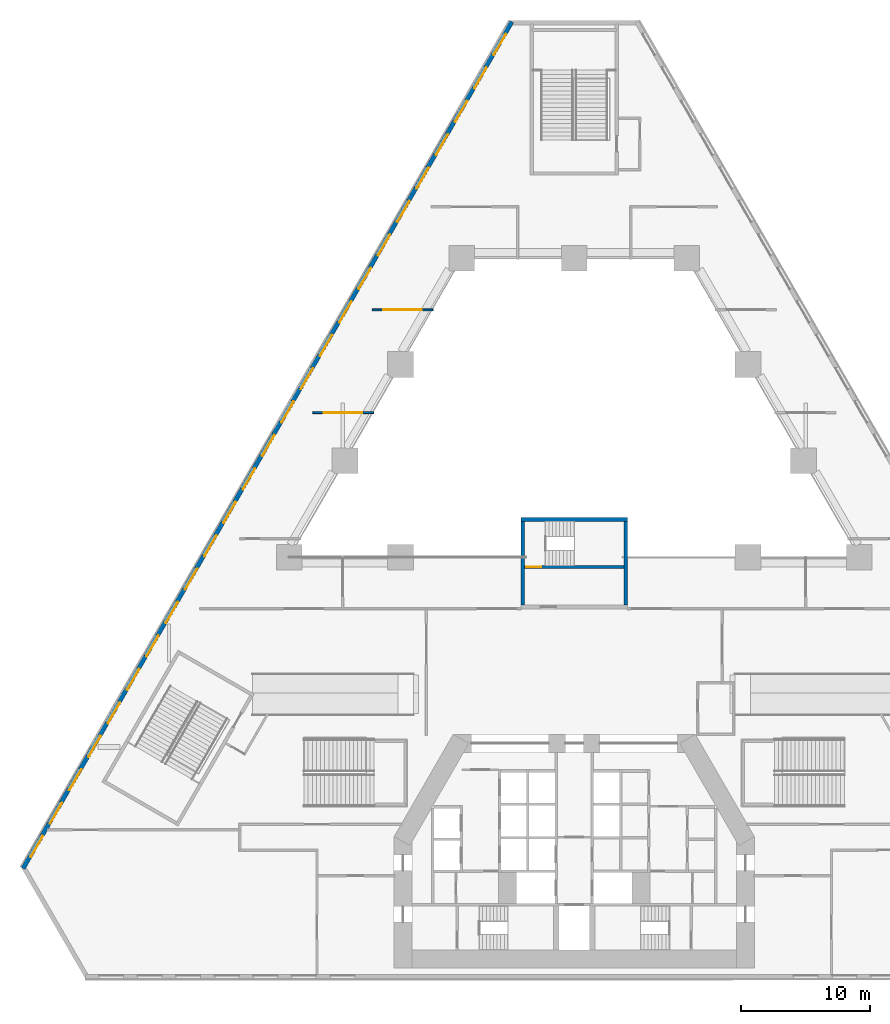
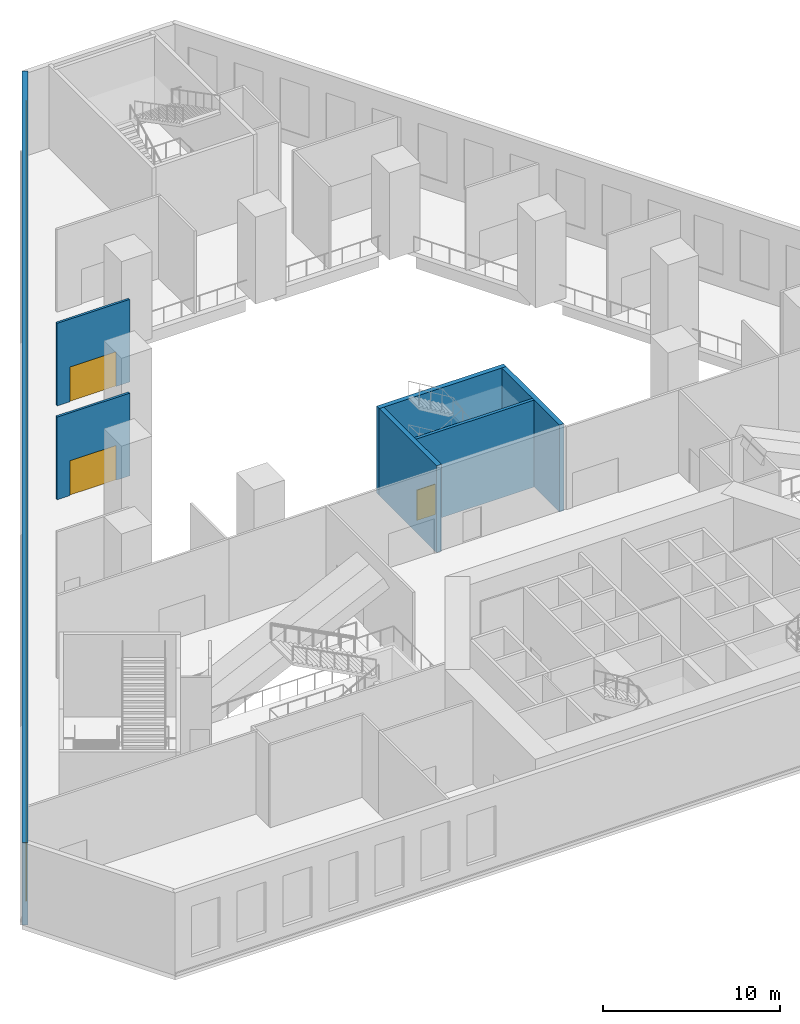
# One storey, part 6 of 16: 25 windows, 7 walls, 3 doors, 28 openings.
"""IFC4 building model written with IfcOpenShell, lengths in metres."""

from ifc_helpers import new_model, si_unit, direction, frame, frame_2d, origin, place, context, subcontext, project, spatial, rectangle, extrude, material, layer, layer_set, type_object, element, fill, save


model = new_model("IFC4")

# Units and contexts
model_context = context("Model", 3, precision=1e-05, world=origin(), true_north=direction((0.0, 1.0)))
body_context = subcontext(model_context, "Body", "Model", "MODEL_VIEW")
ifc_project = project(units=[si_unit("LENGTHUNIT", "METRE"), si_unit("AREAUNIT", "SQUARE_METRE"), si_unit("VOLUMEUNIT", "CUBIC_METRE"), si_unit("PLANEANGLEUNIT", "RADIAN"), si_unit("MASSUNIT", "GRAM", prefix="KILO")], contexts=[model_context])

# Site, building, storey
site_placement = place(None, origin())
site = spatial("IfcSite", under=ifc_project, at=site_placement, CompositionType="ELEMENT")
building_placement = place(site_placement, origin())
building = spatial("IfcBuilding", under=site, at=building_placement, Name="Fogline Exchange Tower", CompositionType="ELEMENT")
storey_placement = place(building_placement, frame((0.0, 0.0, 14.0)))
storey = spatial("IfcBuildingStorey", under=building, at=storey_placement, Name="L02", CompositionType="ELEMENT", Elevation=14.0)

# Wall, opening, door
ifc_material_1 = material(Name="Concrete C40", Category="concrete")
ifc_layer_1 = layer(ifc_material_1, 0.199951171875)
ifc_layer_set_1 = layer_set([ifc_layer_1], Name="CW20R")
wall_type_1 = type_object("IfcWallType", Name="CW20R", PredefinedType="SOLIDWALL", material=ifc_layer_set_1)
wall_1_placement = place(storey_placement, frame((-3.85009765625, 32.007080078125, -0.300048828125), z_axis=(0.0, 0.0, 1.0), x_axis=(1.0, 0.0, 0.0)))
wall_1 = element("IfcWall", 1, at=wall_1_placement, inside=storey, type_object=wall_type_1, Name="Stair enclosure wall ST3", PredefinedType="SOLIDWALL", context=body_context, shape_type="SweptSolid", body=[
    extrude(rectangle(XDim=7.7001953125, YDim=0.199951171875, at=frame_2d((3.85009765625, 0.0))), origin(), (0.0, 0.0, 1.0), 6.0),
])
opening_1_placement = place(wall_1_placement, frame((0.10009765625, 0.0, 0.300048828125)))
opening_1 = element("IfcOpeningElement", 2, at=opening_1_placement, cuts=wall_1, Name="Opening P02-C024", PredefinedType="OPENING", context=body_context, shape_type="SweptSolid", body=[
    extrude(rectangle(XDim=1.199951171875, YDim=2.10009765625, at=frame_2d((0.60009765625, 1.050048828125))), frame((0.0, 0.10986328125, 0.0), z_axis=(0.0, -1.0, 0.0), x_axis=(1.0, 0.0, 0.0)), (0.0, 0.0, 1.0), 0.219970703125),
])
ifc_material_2 = material(Name="Steel and timber fire door", Category="steel")
door_type_1 = type_object("IfcDoorType", Name="D-ST1", OperationType="SINGLE_SWING_LEFT", PredefinedType="DOOR", material=ifc_material_2)
door_1_placement = place(opening_1_placement, origin())
door_1 = element("IfcDoor", 3, at=door_1_placement, inside=storey, type_object=door_type_1, Name="Stair door ST3", OperationType="SINGLE_SWING_LEFT", OverallHeight=2.10009765625, OverallWidth=1.199951171875, PredefinedType="DOOR", context=body_context, shape_type="SweptSolid", body=[
    extrude(rectangle(XDim=1.199951171875, YDim=2.10009765625, at=frame_2d((0.60009765625, 1.050048828125))), frame((0.0, 0.02490234375, 0.0), z_axis=(0.0, -1.0, 0.0), x_axis=(1.0, 0.0, 0.0)), (0.0, 0.0, 1.0), 0.050048828125),
])
fill(opening_1, door_1)

# Walls
ifc_layer_2 = layer(ifc_material_1, 0.300048828125)
ifc_layer_set_2 = layer_set([ifc_layer_2], Name="CW30")
wall_type_2 = type_object("IfcWallType", Name="CW30", PredefinedType="SOLIDWALL", material=ifc_layer_set_2)
wall_2_placement = place(storey_placement, frame((-4.14990234375, 35.70703125, -0.300048828125), z_axis=(0.0, 0.0, 1.0), x_axis=(1.0, 0.0, 0.0)))
element("IfcWall", 4, at=wall_2_placement, inside=storey, type_object=wall_type_2, Name="Stair enclosure wall ST3", PredefinedType="SOLIDWALL", context=body_context, shape_type="SweptSolid", body=[
    extrude(rectangle(XDim=8.2998046875, YDim=0.300048828125, at=frame_2d((4.14990234375, 0.0))), origin(), (0.0, 0.0, 1.0), 6.0),
])
for number, where, z_axis, x_axis, name in (
    (5, (-4.0, 29.056884765625, -0.300048828125), (0.0, 0.0, 1.0), (0.0, 1.0, 0.0), "Stair enclosure wall ST3"),
    (6, (4.0, 29.056884765625, -0.300048828125), (0.0, 0.0, 1.0), (0.0, 1.0, 0.0), "Stair enclosure wall ST3"),
):
    element("IfcWall", number, at=place(storey_placement, frame(where, z_axis=z_axis, x_axis=x_axis)), inside=storey, type_object=wall_type_2, Name=name, PredefinedType="SOLIDWALL", context=body_context, shape_type="SweptSolid", body=[
        extrude(rectangle(XDim=6.5, YDim=0.300048828125, at=frame_2d((3.25, 0.0))), origin(), (0.0, 0.0, 1.0), 6.0),
    ])

# Wall, openings, windows
ifc_material_3 = material(Name="Brick masonry", Category="masonry")
ifc_layer_3 = layer(ifc_material_3, 0.340087890625)
ifc_layer_set_3 = layer_set([ifc_layer_3], Name="FW1")
wall_type_3 = type_object("IfcWallType", Name="FW1", PredefinedType="SOLIDWALL", material=ifc_layer_set_3)
wall_3_placement = place(storey_placement, frame((-4.852783203125, 74.393310546875, 0.0), z_axis=(0.0, 0.0, 1.0), x_axis=(-0.49999894854, -0.866026010844, 0.0)))
wall_3 = element("IfcWall", 7, at=wall_3_placement, inside=storey, type_object=wall_type_3, Name="Brick wall L02 W", PredefinedType="SOLIDWALL", context=body_context, shape_type="SweptSolid", body=[
    extrude(rectangle(XDim=76.000244140625, YDim=0.340087890625, at=frame_2d((38.0, 0.0))), origin(), (0.0, 0.0, 1.0), 5.699951171875),
])
opening_2_placement = place(wall_3_placement, frame((1.0576171875, 0.0, 0.89990234375)))
opening_2 = element("IfcOpeningElement", 8, at=opening_2_placement, cuts=wall_3, Name="Opening W7", PredefinedType="OPENING", context=body_context, shape_type="SweptSolid", body=[
    extrude(rectangle(XDim=1.885009765625, YDim=3.5, at=frame_2d((0.9423828125, 1.75))), frame((0.0, 0.18017578125, 0.0), z_axis=(0.0, -1.0, 0.0), x_axis=(1.0, 0.0, 0.0)), (0.0, 0.0, 1.0), 0.360107421875),
])
opening_3_placement = place(wall_3_placement, frame((4.0576171875, 0.0, 0.89990234375)))
opening_3 = element("IfcOpeningElement", 9, at=opening_3_placement, cuts=wall_3, Name="Opening W7", PredefinedType="OPENING", context=body_context, shape_type="SweptSolid", body=[
    extrude(rectangle(XDim=1.885009765625, YDim=3.5, at=frame_2d((0.9423828125, 1.75))), frame((0.0, 0.18017578125, 0.0), z_axis=(0.0, -1.0, 0.0), x_axis=(1.0, 0.0, 0.0)), (0.0, 0.0, 1.0), 0.360107421875),
])
opening_4_placement = place(wall_3_placement, frame((7.0576171875, 0.0, 0.89990234375)))
opening_4 = element("IfcOpeningElement", 10, at=opening_4_placement, cuts=wall_3, Name="Opening W7", PredefinedType="OPENING", context=body_context, shape_type="SweptSolid", body=[
    extrude(rectangle(XDim=1.885009765625, YDim=3.5, at=frame_2d((0.9423828125, 1.75))), frame((0.0, 0.18017578125, 0.0), z_axis=(0.0, -1.0, 0.0), x_axis=(1.0, 0.0, 0.0)), (0.0, 0.0, 1.0), 0.360107421875),
])
opening_5_placement = place(wall_3_placement, frame((10.0576171875, 0.0, 0.89990234375)))
opening_5 = element("IfcOpeningElement", 11, at=opening_5_placement, cuts=wall_3, Name="Opening W7", PredefinedType="OPENING", context=body_context, shape_type="SweptSolid", body=[
    extrude(rectangle(XDim=1.885009765625, YDim=3.5, at=frame_2d((0.9423828125, 1.75))), frame((0.0, 0.18017578125, 0.0), z_axis=(0.0, -1.0, 0.0), x_axis=(1.0, 0.0, 0.0)), (0.0, 0.0, 1.0), 0.360107421875),
])
opening_6_placement = place(wall_3_placement, frame((13.0576171875, 0.0, 0.89990234375)))
opening_6 = element("IfcOpeningElement", 12, at=opening_6_placement, cuts=wall_3, Name="Opening W7", PredefinedType="OPENING", context=body_context, shape_type="SweptSolid", body=[
    extrude(rectangle(XDim=1.885009765625, YDim=3.5, at=frame_2d((0.9423828125, 1.75))), frame((0.0, 0.18017578125, 0.0), z_axis=(0.0, -1.0, 0.0), x_axis=(1.0, 0.0, 0.0)), (0.0, 0.0, 1.0), 0.360107421875),
])
opening_7_placement = place(wall_3_placement, frame((16.0576171875, 0.0, 0.89990234375)))
opening_7 = element("IfcOpeningElement", 13, at=opening_7_placement, cuts=wall_3, Name="Opening W7", PredefinedType="OPENING", context=body_context, shape_type="SweptSolid", body=[
    extrude(rectangle(XDim=1.885009765625, YDim=3.5, at=frame_2d((0.9423828125, 1.75))), frame((0.0, 0.18017578125, 0.0), z_axis=(0.0, -1.0, 0.0), x_axis=(1.0, 0.0, 0.0)), (0.0, 0.0, 1.0), 0.360107421875),
])
opening_8_placement = place(wall_3_placement, frame((19.0576171875, 0.0, 0.89990234375)))
opening_8 = element("IfcOpeningElement", 14, at=opening_8_placement, cuts=wall_3, Name="Opening W7", PredefinedType="OPENING", context=body_context, shape_type="SweptSolid", body=[
    extrude(rectangle(XDim=1.885009765625, YDim=3.5, at=frame_2d((0.9423828125, 1.75))), frame((0.0, 0.18017578125, 0.0), z_axis=(0.0, -1.0, 0.0), x_axis=(1.0, 0.0, 0.0)), (0.0, 0.0, 1.0), 0.360107421875),
])
opening_9_placement = place(wall_3_placement, frame((22.0576171875, 0.0, 0.89990234375)))
opening_9 = element("IfcOpeningElement", 15, at=opening_9_placement, cuts=wall_3, Name="Opening W7", PredefinedType="OPENING", context=body_context, shape_type="SweptSolid", body=[
    extrude(rectangle(XDim=1.885009765625, YDim=3.5, at=frame_2d((0.9423828125, 1.75))), frame((0.0, 0.18017578125, 0.0), z_axis=(0.0, -1.0, 0.0), x_axis=(1.0, 0.0, 0.0)), (0.0, 0.0, 1.0), 0.360107421875),
])
opening_10_placement = place(wall_3_placement, frame((25.0576171875, 0.0, 0.89990234375)))
opening_10 = element("IfcOpeningElement", 16, at=opening_10_placement, cuts=wall_3, Name="Opening W7", PredefinedType="OPENING", context=body_context, shape_type="SweptSolid", body=[
    extrude(rectangle(XDim=1.885009765625, YDim=3.5, at=frame_2d((0.9423828125, 1.75))), frame((0.0, 0.18017578125, 0.0), z_axis=(0.0, -1.0, 0.0), x_axis=(1.0, 0.0, 0.0)), (0.0, 0.0, 1.0), 0.360107421875),
])
opening_11_placement = place(wall_3_placement, frame((28.0576171875, 0.0, 0.89990234375)))
opening_11 = element("IfcOpeningElement", 17, at=opening_11_placement, cuts=wall_3, Name="Opening W7", PredefinedType="OPENING", context=body_context, shape_type="SweptSolid", body=[
    extrude(rectangle(XDim=1.885009765625, YDim=3.5, at=frame_2d((0.9423828125, 1.75))), frame((0.0, 0.18017578125, 0.0), z_axis=(0.0, -1.0, 0.0), x_axis=(1.0, 0.0, 0.0)), (0.0, 0.0, 1.0), 0.360107421875),
])
opening_12_placement = place(wall_3_placement, frame((31.0576171875, 0.0, 0.89990234375)))
opening_12 = element("IfcOpeningElement", 18, at=opening_12_placement, cuts=wall_3, Name="Opening W7", PredefinedType="OPENING", context=body_context, shape_type="SweptSolid", body=[
    extrude(rectangle(XDim=1.885009765625, YDim=3.5, at=frame_2d((0.9423828125, 1.75))), frame((0.0, 0.18017578125, 0.0), z_axis=(0.0, -1.0, 0.0), x_axis=(1.0, 0.0, 0.0)), (0.0, 0.0, 1.0), 0.360107421875),
])
opening_13_placement = place(wall_3_placement, frame((34.0576171875, 0.0, 0.89990234375)))
opening_13 = element("IfcOpeningElement", 19, at=opening_13_placement, cuts=wall_3, Name="Opening W7", PredefinedType="OPENING", context=body_context, shape_type="SweptSolid", body=[
    extrude(rectangle(XDim=1.885009765625, YDim=3.5, at=frame_2d((0.9423828125, 1.75))), frame((0.0, 0.18017578125, 0.0), z_axis=(0.0, -1.0, 0.0), x_axis=(1.0, 0.0, 0.0)), (0.0, 0.0, 1.0), 0.360107421875),
])
opening_14_placement = place(wall_3_placement, frame((37.0576171875, 0.0, 0.89990234375)))
opening_14 = element("IfcOpeningElement", 20, at=opening_14_placement, cuts=wall_3, Name="Opening W7", PredefinedType="OPENING", context=body_context, shape_type="SweptSolid", body=[
    extrude(rectangle(XDim=1.885009765625, YDim=3.5, at=frame_2d((0.9423828125, 1.75))), frame((0.0, 0.18017578125, 0.0), z_axis=(0.0, -1.0, 0.0), x_axis=(1.0, 0.0, 0.0)), (0.0, 0.0, 1.0), 0.360107421875),
])
opening_15_placement = place(wall_3_placement, frame((40.0576171875, 0.0, 0.89990234375)))
opening_15 = element("IfcOpeningElement", 21, at=opening_15_placement, cuts=wall_3, Name="Opening W7", PredefinedType="OPENING", context=body_context, shape_type="SweptSolid", body=[
    extrude(rectangle(XDim=1.885009765625, YDim=3.5, at=frame_2d((0.9423828125, 1.75))), frame((0.0, 0.18017578125, 0.0), z_axis=(0.0, -1.0, 0.0), x_axis=(1.0, 0.0, 0.0)), (0.0, 0.0, 1.0), 0.360107421875),
])
opening_16_placement = place(wall_3_placement, frame((43.0576171875, 0.0, 0.89990234375)))
opening_16 = element("IfcOpeningElement", 22, at=opening_16_placement, cuts=wall_3, Name="Opening W7", PredefinedType="OPENING", context=body_context, shape_type="SweptSolid", body=[
    extrude(rectangle(XDim=1.885009765625, YDim=3.5, at=frame_2d((0.9423828125, 1.75))), frame((0.0, 0.18017578125, 0.0), z_axis=(0.0, -1.0, 0.0), x_axis=(1.0, 0.0, 0.0)), (0.0, 0.0, 1.0), 0.360107421875),
])
opening_17_placement = place(wall_3_placement, frame((46.0576171875, 0.0, 0.89990234375)))
opening_17 = element("IfcOpeningElement", 23, at=opening_17_placement, cuts=wall_3, Name="Opening W7", PredefinedType="OPENING", context=body_context, shape_type="SweptSolid", body=[
    extrude(rectangle(XDim=1.885009765625, YDim=3.5, at=frame_2d((0.9423828125, 1.75))), frame((0.0, 0.18017578125, 0.0), z_axis=(0.0, -1.0, 0.0), x_axis=(1.0, 0.0, 0.0)), (0.0, 0.0, 1.0), 0.360107421875),
])
opening_18_placement = place(wall_3_placement, frame((49.0576171875, 0.0, 0.89990234375)))
opening_18 = element("IfcOpeningElement", 24, at=opening_18_placement, cuts=wall_3, Name="Opening W7", PredefinedType="OPENING", context=body_context, shape_type="SweptSolid", body=[
    extrude(rectangle(XDim=1.885009765625, YDim=3.5, at=frame_2d((0.9423828125, 1.75))), frame((0.0, 0.18017578125, 0.0), z_axis=(0.0, -1.0, 0.0), x_axis=(1.0, 0.0, 0.0)), (0.0, 0.0, 1.0), 0.360107421875),
])
opening_19_placement = place(wall_3_placement, frame((52.0576171875, 0.0, 0.89990234375)))
opening_19 = element("IfcOpeningElement", 25, at=opening_19_placement, cuts=wall_3, Name="Opening W7", PredefinedType="OPENING", context=body_context, shape_type="SweptSolid", body=[
    extrude(rectangle(XDim=1.885009765625, YDim=3.5, at=frame_2d((0.9423828125, 1.75))), frame((0.0, 0.18017578125, 0.0), z_axis=(0.0, -1.0, 0.0), x_axis=(1.0, 0.0, 0.0)), (0.0, 0.0, 1.0), 0.360107421875),
])
opening_20_placement = place(wall_3_placement, frame((55.0576171875, 0.0, 0.89990234375)))
opening_20 = element("IfcOpeningElement", 26, at=opening_20_placement, cuts=wall_3, Name="Opening W7", PredefinedType="OPENING", context=body_context, shape_type="SweptSolid", body=[
    extrude(rectangle(XDim=1.885009765625, YDim=3.5, at=frame_2d((0.9423828125, 1.75))), frame((0.0, 0.18017578125, 0.0), z_axis=(0.0, -1.0, 0.0), x_axis=(1.0, 0.0, 0.0)), (0.0, 0.0, 1.0), 0.360107421875),
])
opening_21_placement = place(wall_3_placement, frame((58.0576171875, 0.0, 0.89990234375)))
opening_21 = element("IfcOpeningElement", 27, at=opening_21_placement, cuts=wall_3, Name="Opening W7", PredefinedType="OPENING", context=body_context, shape_type="SweptSolid", body=[
    extrude(rectangle(XDim=1.885009765625, YDim=3.5, at=frame_2d((0.9423828125, 1.75))), frame((0.0, 0.18017578125, 0.0), z_axis=(0.0, -1.0, 0.0), x_axis=(1.0, 0.0, 0.0)), (0.0, 0.0, 1.0), 0.360107421875),
])
opening_22_placement = place(wall_3_placement, frame((61.0576171875, 0.0, 0.89990234375)))
opening_22 = element("IfcOpeningElement", 28, at=opening_22_placement, cuts=wall_3, Name="Opening W7", PredefinedType="OPENING", context=body_context, shape_type="SweptSolid", body=[
    extrude(rectangle(XDim=1.885009765625, YDim=3.5, at=frame_2d((0.9423828125, 1.75))), frame((0.0, 0.18017578125, 0.0), z_axis=(0.0, -1.0, 0.0), x_axis=(1.0, 0.0, 0.0)), (0.0, 0.0, 1.0), 0.360107421875),
])
opening_23_placement = place(wall_3_placement, frame((64.0576171875, 0.0, 0.89990234375)))
opening_23 = element("IfcOpeningElement", 29, at=opening_23_placement, cuts=wall_3, Name="Opening W7", PredefinedType="OPENING", context=body_context, shape_type="SweptSolid", body=[
    extrude(rectangle(XDim=1.885009765625, YDim=3.5, at=frame_2d((0.9423828125, 1.75))), frame((0.0, 0.18017578125, 0.0), z_axis=(0.0, -1.0, 0.0), x_axis=(1.0, 0.0, 0.0)), (0.0, 0.0, 1.0), 0.360107421875),
])
opening_24_placement = place(wall_3_placement, frame((67.0576171875, 0.0, 0.89990234375)))
opening_24 = element("IfcOpeningElement", 30, at=opening_24_placement, cuts=wall_3, Name="Opening W7", PredefinedType="OPENING", context=body_context, shape_type="SweptSolid", body=[
    extrude(rectangle(XDim=1.885009765625, YDim=3.5, at=frame_2d((0.9423828125, 1.75))), frame((0.0, 0.18017578125, 0.0), z_axis=(0.0, -1.0, 0.0), x_axis=(1.0, 0.0, 0.0)), (0.0, 0.0, 1.0), 0.360107421875),
])
opening_25_placement = place(wall_3_placement, frame((70.0576171875, 0.0, 0.89990234375)))
opening_25 = element("IfcOpeningElement", 31, at=opening_25_placement, cuts=wall_3, Name="Opening W7", PredefinedType="OPENING", context=body_context, shape_type="SweptSolid", body=[
    extrude(rectangle(XDim=1.885009765625, YDim=3.5, at=frame_2d((0.9423828125, 1.75))), frame((0.0, 0.18017578125, 0.0), z_axis=(0.0, -1.0, 0.0), x_axis=(1.0, 0.0, 0.0)), (0.0, 0.0, 1.0), 0.360107421875),
])
opening_26_placement = place(wall_3_placement, frame((73.0576171875, 0.0, 0.89990234375)))
opening_26 = element("IfcOpeningElement", 32, at=opening_26_placement, cuts=wall_3, Name="Opening W7", PredefinedType="OPENING", context=body_context, shape_type="SweptSolid", body=[
    extrude(rectangle(XDim=1.885009765625, YDim=3.5, at=frame_2d((0.9423828125, 1.75))), frame((0.0, 0.18017578125, 0.0), z_axis=(0.0, -1.0, 0.0), x_axis=(1.0, 0.0, 0.0)), (0.0, 0.0, 1.0), 0.360107421875),
])
ifc_material_4 = material(Name="Aluminium and glass", Category="aluminium")
window_type = type_object("IfcWindowType", Name="W7", PartitioningType="SINGLE_PANEL", PredefinedType="WINDOW", material=ifc_material_4)
window_1_placement = place(opening_2_placement, origin())
window_1 = element("IfcWindow", 33, at=window_1_placement, inside=storey, type_object=window_type, Name="W7 W7", OverallHeight=3.5, OverallWidth=1.885009765625, PartitioningType="SINGLE_PANEL", PredefinedType="WINDOW", context=body_context, shape_type="SweptSolid", body=[
    extrude(rectangle(XDim=1.885009765625, YDim=3.5, at=frame_2d((0.9423828125, 1.75))), frame((0.0, 0.110107421875, 0.0), z_axis=(0.0, -1.0, 0.0), x_axis=(1.0, 0.0, 0.0)), (0.0, 0.0, 1.0), 0.06005859375),
])
fill(opening_2, window_1)
window_2_placement = place(opening_3_placement, origin())
window_2 = element("IfcWindow", 34, at=window_2_placement, inside=storey, type_object=window_type, Name="W7 W7", OverallHeight=3.5, OverallWidth=1.885009765625, PartitioningType="SINGLE_PANEL", PredefinedType="WINDOW", context=body_context, shape_type="SweptSolid", body=[
    extrude(rectangle(XDim=1.885009765625, YDim=3.5, at=frame_2d((0.9423828125, 1.75))), frame((0.0, 0.110107421875, 0.0), z_axis=(0.0, -1.0, 0.0), x_axis=(1.0, 0.0, 0.0)), (0.0, 0.0, 1.0), 0.06005859375),
])
fill(opening_3, window_2)
window_3_placement = place(opening_4_placement, origin())
window_3 = element("IfcWindow", 35, at=window_3_placement, inside=storey, type_object=window_type, Name="W7 W7", OverallHeight=3.5, OverallWidth=1.885009765625, PartitioningType="SINGLE_PANEL", PredefinedType="WINDOW", context=body_context, shape_type="SweptSolid", body=[
    extrude(rectangle(XDim=1.885009765625, YDim=3.5, at=frame_2d((0.9423828125, 1.75))), frame((0.0, 0.110107421875, 0.0), z_axis=(0.0, -1.0, 0.0), x_axis=(1.0, 0.0, 0.0)), (0.0, 0.0, 1.0), 0.06005859375),
])
fill(opening_4, window_3)
window_4_placement = place(opening_5_placement, origin())
window_4 = element("IfcWindow", 36, at=window_4_placement, inside=storey, type_object=window_type, Name="W7 W7", OverallHeight=3.5, OverallWidth=1.885009765625, PartitioningType="SINGLE_PANEL", PredefinedType="WINDOW", context=body_context, shape_type="SweptSolid", body=[
    extrude(rectangle(XDim=1.885009765625, YDim=3.5, at=frame_2d((0.9423828125, 1.75))), frame((0.0, 0.110107421875, 0.0), z_axis=(0.0, -1.0, 0.0), x_axis=(1.0, 0.0, 0.0)), (0.0, 0.0, 1.0), 0.06005859375),
])
fill(opening_5, window_4)
window_5_placement = place(opening_6_placement, origin())
window_5 = element("IfcWindow", 37, at=window_5_placement, inside=storey, type_object=window_type, Name="W7 W7", OverallHeight=3.5, OverallWidth=1.885009765625, PartitioningType="SINGLE_PANEL", PredefinedType="WINDOW", context=body_context, shape_type="SweptSolid", body=[
    extrude(rectangle(XDim=1.885009765625, YDim=3.5, at=frame_2d((0.9423828125, 1.75))), frame((0.0, 0.110107421875, 0.0), z_axis=(0.0, -1.0, 0.0), x_axis=(1.0, 0.0, 0.0)), (0.0, 0.0, 1.0), 0.06005859375),
])
fill(opening_6, window_5)
window_6_placement = place(opening_7_placement, origin())
window_6 = element("IfcWindow", 38, at=window_6_placement, inside=storey, type_object=window_type, Name="W7 W7", OverallHeight=3.5, OverallWidth=1.885009765625, PartitioningType="SINGLE_PANEL", PredefinedType="WINDOW", context=body_context, shape_type="SweptSolid", body=[
    extrude(rectangle(XDim=1.885009765625, YDim=3.5, at=frame_2d((0.9423828125, 1.75))), frame((0.0, 0.110107421875, 0.0), z_axis=(0.0, -1.0, 0.0), x_axis=(1.0, 0.0, 0.0)), (0.0, 0.0, 1.0), 0.06005859375),
])
fill(opening_7, window_6)
window_7_placement = place(opening_8_placement, origin())
window_7 = element("IfcWindow", 39, at=window_7_placement, inside=storey, type_object=window_type, Name="W7 W7", OverallHeight=3.5, OverallWidth=1.885009765625, PartitioningType="SINGLE_PANEL", PredefinedType="WINDOW", context=body_context, shape_type="SweptSolid", body=[
    extrude(rectangle(XDim=1.885009765625, YDim=3.5, at=frame_2d((0.9423828125, 1.75))), frame((0.0, 0.110107421875, 0.0), z_axis=(0.0, -1.0, 0.0), x_axis=(1.0, 0.0, 0.0)), (0.0, 0.0, 1.0), 0.06005859375),
])
fill(opening_8, window_7)
window_8_placement = place(opening_9_placement, origin())
window_8 = element("IfcWindow", 40, at=window_8_placement, inside=storey, type_object=window_type, Name="W7 W7", OverallHeight=3.5, OverallWidth=1.885009765625, PartitioningType="SINGLE_PANEL", PredefinedType="WINDOW", context=body_context, shape_type="SweptSolid", body=[
    extrude(rectangle(XDim=1.885009765625, YDim=3.5, at=frame_2d((0.9423828125, 1.75))), frame((0.0, 0.110107421875, 0.0), z_axis=(0.0, -1.0, 0.0), x_axis=(1.0, 0.0, 0.0)), (0.0, 0.0, 1.0), 0.06005859375),
])
fill(opening_9, window_8)
window_9_placement = place(opening_10_placement, origin())
window_9 = element("IfcWindow", 41, at=window_9_placement, inside=storey, type_object=window_type, Name="W7 W7", OverallHeight=3.5, OverallWidth=1.885009765625, PartitioningType="SINGLE_PANEL", PredefinedType="WINDOW", context=body_context, shape_type="SweptSolid", body=[
    extrude(rectangle(XDim=1.885009765625, YDim=3.5, at=frame_2d((0.9423828125, 1.75))), frame((0.0, 0.110107421875, 0.0), z_axis=(0.0, -1.0, 0.0), x_axis=(1.0, 0.0, 0.0)), (0.0, 0.0, 1.0), 0.06005859375),
])
fill(opening_10, window_9)
window_10_placement = place(opening_11_placement, origin())
window_10 = element("IfcWindow", 42, at=window_10_placement, inside=storey, type_object=window_type, Name="W7 W7", OverallHeight=3.5, OverallWidth=1.885009765625, PartitioningType="SINGLE_PANEL", PredefinedType="WINDOW", context=body_context, shape_type="SweptSolid", body=[
    extrude(rectangle(XDim=1.885009765625, YDim=3.5, at=frame_2d((0.9423828125, 1.75))), frame((0.0, 0.110107421875, 0.0), z_axis=(0.0, -1.0, 0.0), x_axis=(1.0, 0.0, 0.0)), (0.0, 0.0, 1.0), 0.06005859375),
])
fill(opening_11, window_10)
window_11_placement = place(opening_12_placement, origin())
window_11 = element("IfcWindow", 43, at=window_11_placement, inside=storey, type_object=window_type, Name="W7 W7", OverallHeight=3.5, OverallWidth=1.885009765625, PartitioningType="SINGLE_PANEL", PredefinedType="WINDOW", context=body_context, shape_type="SweptSolid", body=[
    extrude(rectangle(XDim=1.885009765625, YDim=3.5, at=frame_2d((0.9423828125, 1.75))), frame((0.0, 0.110107421875, 0.0), z_axis=(0.0, -1.0, 0.0), x_axis=(1.0, 0.0, 0.0)), (0.0, 0.0, 1.0), 0.06005859375),
])
fill(opening_12, window_11)
window_12_placement = place(opening_13_placement, origin())
window_12 = element("IfcWindow", 44, at=window_12_placement, inside=storey, type_object=window_type, Name="W7 W7", OverallHeight=3.5, OverallWidth=1.885009765625, PartitioningType="SINGLE_PANEL", PredefinedType="WINDOW", context=body_context, shape_type="SweptSolid", body=[
    extrude(rectangle(XDim=1.885009765625, YDim=3.5, at=frame_2d((0.9423828125, 1.75))), frame((0.0, 0.110107421875, 0.0), z_axis=(0.0, -1.0, 0.0), x_axis=(1.0, 0.0, 0.0)), (0.0, 0.0, 1.0), 0.06005859375),
])
fill(opening_13, window_12)
window_13_placement = place(opening_14_placement, origin())
window_13 = element("IfcWindow", 45, at=window_13_placement, inside=storey, type_object=window_type, Name="W7 W7", OverallHeight=3.5, OverallWidth=1.885009765625, PartitioningType="SINGLE_PANEL", PredefinedType="WINDOW", context=body_context, shape_type="SweptSolid", body=[
    extrude(rectangle(XDim=1.885009765625, YDim=3.5, at=frame_2d((0.9423828125, 1.75))), frame((0.0, 0.110107421875, 0.0), z_axis=(0.0, -1.0, 0.0), x_axis=(1.0, 0.0, 0.0)), (0.0, 0.0, 1.0), 0.06005859375),
])
fill(opening_14, window_13)
window_14_placement = place(opening_15_placement, origin())
window_14 = element("IfcWindow", 46, at=window_14_placement, inside=storey, type_object=window_type, Name="W7 W7", OverallHeight=3.5, OverallWidth=1.885009765625, PartitioningType="SINGLE_PANEL", PredefinedType="WINDOW", context=body_context, shape_type="SweptSolid", body=[
    extrude(rectangle(XDim=1.885009765625, YDim=3.5, at=frame_2d((0.9423828125, 1.75))), frame((0.0, 0.110107421875, 0.0), z_axis=(0.0, -1.0, 0.0), x_axis=(1.0, 0.0, 0.0)), (0.0, 0.0, 1.0), 0.06005859375),
])
fill(opening_15, window_14)
window_15_placement = place(opening_16_placement, origin())
window_15 = element("IfcWindow", 47, at=window_15_placement, inside=storey, type_object=window_type, Name="W7 W7", OverallHeight=3.5, OverallWidth=1.885009765625, PartitioningType="SINGLE_PANEL", PredefinedType="WINDOW", context=body_context, shape_type="SweptSolid", body=[
    extrude(rectangle(XDim=1.885009765625, YDim=3.5, at=frame_2d((0.9423828125, 1.75))), frame((0.0, 0.110107421875, 0.0), z_axis=(0.0, -1.0, 0.0), x_axis=(1.0, 0.0, 0.0)), (0.0, 0.0, 1.0), 0.06005859375),
])
fill(opening_16, window_15)
window_16_placement = place(opening_17_placement, origin())
window_16 = element("IfcWindow", 48, at=window_16_placement, inside=storey, type_object=window_type, Name="W7 W7", OverallHeight=3.5, OverallWidth=1.885009765625, PartitioningType="SINGLE_PANEL", PredefinedType="WINDOW", context=body_context, shape_type="SweptSolid", body=[
    extrude(rectangle(XDim=1.885009765625, YDim=3.5, at=frame_2d((0.9423828125, 1.75))), frame((0.0, 0.110107421875, 0.0), z_axis=(0.0, -1.0, 0.0), x_axis=(1.0, 0.0, 0.0)), (0.0, 0.0, 1.0), 0.06005859375),
])
fill(opening_17, window_16)
window_17_placement = place(opening_18_placement, origin())
window_17 = element("IfcWindow", 49, at=window_17_placement, inside=storey, type_object=window_type, Name="W7 W7", OverallHeight=3.5, OverallWidth=1.885009765625, PartitioningType="SINGLE_PANEL", PredefinedType="WINDOW", context=body_context, shape_type="SweptSolid", body=[
    extrude(rectangle(XDim=1.885009765625, YDim=3.5, at=frame_2d((0.9423828125, 1.75))), frame((0.0, 0.110107421875, 0.0), z_axis=(0.0, -1.0, 0.0), x_axis=(1.0, 0.0, 0.0)), (0.0, 0.0, 1.0), 0.06005859375),
])
fill(opening_18, window_17)
window_18_placement = place(opening_19_placement, origin())
window_18 = element("IfcWindow", 50, at=window_18_placement, inside=storey, type_object=window_type, Name="W7 W7", OverallHeight=3.5, OverallWidth=1.885009765625, PartitioningType="SINGLE_PANEL", PredefinedType="WINDOW", context=body_context, shape_type="SweptSolid", body=[
    extrude(rectangle(XDim=1.885009765625, YDim=3.5, at=frame_2d((0.9423828125, 1.75))), frame((0.0, 0.110107421875, 0.0), z_axis=(0.0, -1.0, 0.0), x_axis=(1.0, 0.0, 0.0)), (0.0, 0.0, 1.0), 0.06005859375),
])
fill(opening_19, window_18)
window_19_placement = place(opening_20_placement, origin())
window_19 = element("IfcWindow", 51, at=window_19_placement, inside=storey, type_object=window_type, Name="W7 W7", OverallHeight=3.5, OverallWidth=1.885009765625, PartitioningType="SINGLE_PANEL", PredefinedType="WINDOW", context=body_context, shape_type="SweptSolid", body=[
    extrude(rectangle(XDim=1.885009765625, YDim=3.5, at=frame_2d((0.9423828125, 1.75))), frame((0.0, 0.110107421875, 0.0), z_axis=(0.0, -1.0, 0.0), x_axis=(1.0, 0.0, 0.0)), (0.0, 0.0, 1.0), 0.06005859375),
])
fill(opening_20, window_19)
window_20_placement = place(opening_21_placement, origin())
window_20 = element("IfcWindow", 52, at=window_20_placement, inside=storey, type_object=window_type, Name="W7 W7", OverallHeight=3.5, OverallWidth=1.885009765625, PartitioningType="SINGLE_PANEL", PredefinedType="WINDOW", context=body_context, shape_type="SweptSolid", body=[
    extrude(rectangle(XDim=1.885009765625, YDim=3.5, at=frame_2d((0.9423828125, 1.75))), frame((0.0, 0.110107421875, 0.0), z_axis=(0.0, -1.0, 0.0), x_axis=(1.0, 0.0, 0.0)), (0.0, 0.0, 1.0), 0.06005859375),
])
fill(opening_21, window_20)
window_21_placement = place(opening_22_placement, origin())
window_21 = element("IfcWindow", 53, at=window_21_placement, inside=storey, type_object=window_type, Name="W7 W7", OverallHeight=3.5, OverallWidth=1.885009765625, PartitioningType="SINGLE_PANEL", PredefinedType="WINDOW", context=body_context, shape_type="SweptSolid", body=[
    extrude(rectangle(XDim=1.885009765625, YDim=3.5, at=frame_2d((0.9423828125, 1.75))), frame((0.0, 0.110107421875, 0.0), z_axis=(0.0, -1.0, 0.0), x_axis=(1.0, 0.0, 0.0)), (0.0, 0.0, 1.0), 0.06005859375),
])
fill(opening_22, window_21)
window_22_placement = place(opening_23_placement, origin())
window_22 = element("IfcWindow", 54, at=window_22_placement, inside=storey, type_object=window_type, Name="W7 W7", OverallHeight=3.5, OverallWidth=1.885009765625, PartitioningType="SINGLE_PANEL", PredefinedType="WINDOW", context=body_context, shape_type="SweptSolid", body=[
    extrude(rectangle(XDim=1.885009765625, YDim=3.5, at=frame_2d((0.9423828125, 1.75))), frame((0.0, 0.110107421875, 0.0), z_axis=(0.0, -1.0, 0.0), x_axis=(1.0, 0.0, 0.0)), (0.0, 0.0, 1.0), 0.06005859375),
])
fill(opening_23, window_22)
window_23_placement = place(opening_24_placement, origin())
window_23 = element("IfcWindow", 55, at=window_23_placement, inside=storey, type_object=window_type, Name="W7 W7", OverallHeight=3.5, OverallWidth=1.885009765625, PartitioningType="SINGLE_PANEL", PredefinedType="WINDOW", context=body_context, shape_type="SweptSolid", body=[
    extrude(rectangle(XDim=1.885009765625, YDim=3.5, at=frame_2d((0.9423828125, 1.75))), frame((0.0, 0.110107421875, 0.0), z_axis=(0.0, -1.0, 0.0), x_axis=(1.0, 0.0, 0.0)), (0.0, 0.0, 1.0), 0.06005859375),
])
fill(opening_24, window_23)
window_24_placement = place(opening_25_placement, origin())
window_24 = element("IfcWindow", 56, at=window_24_placement, inside=storey, type_object=window_type, Name="W7 W7", OverallHeight=3.5, OverallWidth=1.885009765625, PartitioningType="SINGLE_PANEL", PredefinedType="WINDOW", context=body_context, shape_type="SweptSolid", body=[
    extrude(rectangle(XDim=1.885009765625, YDim=3.5, at=frame_2d((0.9423828125, 1.75))), frame((0.0, 0.110107421875, 0.0), z_axis=(0.0, -1.0, 0.0), x_axis=(1.0, 0.0, 0.0)), (0.0, 0.0, 1.0), 0.06005859375),
])
fill(opening_25, window_24)
window_25_placement = place(opening_26_placement, origin())
window_25 = element("IfcWindow", 57, at=window_25_placement, inside=storey, type_object=window_type, Name="W7 W7", OverallHeight=3.5, OverallWidth=1.885009765625, PartitioningType="SINGLE_PANEL", PredefinedType="WINDOW", context=body_context, shape_type="SweptSolid", body=[
    extrude(rectangle(XDim=1.885009765625, YDim=3.5, at=frame_2d((0.9423828125, 1.75))), frame((0.0, 0.110107421875, 0.0), z_axis=(0.0, -1.0, 0.0), x_axis=(1.0, 0.0, 0.0)), (0.0, 0.0, 1.0), 0.06005859375),
])
fill(opening_26, window_25)

# Wall, opening, door
ifc_material_5 = material(Name="Plasterboard on steel stud", Category="steel")
ifc_layer_4 = layer(ifc_material_5, 0.14990234375)
ifc_layer_set_4 = layer_set([ifc_layer_4], Name="PP1")
wall_type_4 = type_object("IfcWallType", Name="PP1", PredefinedType="PARTITIONING", material=ifc_layer_set_4)
wall_4_placement = place(storey_placement, frame((-20.327392578125, 44.0, 0.0), z_axis=(0.0, 0.0, 1.0), x_axis=(1.0, 0.0, 0.0)))
wall_4 = element("IfcWall", 58, at=wall_4_placement, inside=storey, type_object=wall_type_4, Name="PP1 partition", PredefinedType="PARTITIONING", context=body_context, shape_type="SweptSolid", body=[
    extrude(rectangle(XDim=4.73388671875, YDim=0.14990234375, at=frame_2d((2.366943359375, 0.0))), origin(), (0.0, 0.0, 1.0), 5.699951171875),
])
opening_27_placement = place(wall_4_placement, frame((0.849853515625, 0.0, 0.0)))
opening_27 = element("IfcOpeningElement", 59, at=opening_27_placement, cuts=wall_4, Name="Opening P02-D022", PredefinedType="OPENING", context=body_context, shape_type="SweptSolid", body=[
    extrude(rectangle(XDim=3.0, YDim=2.39990234375, at=frame_2d((1.5, 1.199951171875))), frame((0.0, 0.0849609375, 0.0), z_axis=(0.0, -1.0, 0.0), x_axis=(1.0, 0.0, 0.0)), (0.0, 0.0, 1.0), 0.169921875),
])
ifc_material_6 = material(Name="Steel Q235B", Category="steel")
door_type_2 = type_object("IfcDoorType", Name="PD13", OperationType="DOUBLE_DOOR_SINGLE_SWING", PredefinedType="DOOR", material=ifc_material_6)
door_2_placement = place(opening_27_placement, origin())
door_2 = element("IfcDoor", 60, at=door_2_placement, inside=storey, type_object=door_type_2, Name="P02-D022", OperationType="DOUBLE_DOOR_SINGLE_SWING", OverallHeight=2.39990234375, OverallWidth=3.0, PredefinedType="DOOR", context=body_context, shape_type="SweptSolid", body=[
    extrude(rectangle(XDim=3.0, YDim=2.39990234375, at=frame_2d((1.5, 1.199951171875))), frame((0.0, 0.02490234375, 0.0), z_axis=(0.0, -1.0, 0.0), x_axis=(1.0, 0.0, 0.0)), (0.0, 0.0, 1.0), 0.050048828125),
])
fill(opening_27, door_2)

wall_5_placement = place(storey_placement, frame((-15.708740234375, 52.0, 0.0), z_axis=(0.0, 0.0, 1.0), x_axis=(1.0, 0.0, 0.0)))
wall_5 = element("IfcWall", 61, at=wall_5_placement, inside=storey, type_object=wall_type_4, Name="PP1 partition", PredefinedType="PARTITIONING", context=body_context, shape_type="SweptSolid", body=[
    extrude(rectangle(XDim=4.734130859375, YDim=0.14990234375, at=frame_2d((2.3671875, 0.0))), origin(), (0.0, 0.0, 1.0), 5.699951171875),
])
opening_28_placement = place(wall_5_placement, frame((0.849853515625, 0.0, 0.0)))
opening_28 = element("IfcOpeningElement", 62, at=opening_28_placement, cuts=wall_5, Name="Opening P02-D024", PredefinedType="OPENING", context=body_context, shape_type="SweptSolid", body=[
    extrude(rectangle(XDim=3.0, YDim=2.39990234375, at=frame_2d((1.5, 1.199951171875))), frame((0.0, 0.0849609375, 0.0), z_axis=(0.0, -1.0, 0.0), x_axis=(1.0, 0.0, 0.0)), (0.0, 0.0, 1.0), 0.169921875),
])
door_3_placement = place(opening_28_placement, frame((3.0, 0.0, 0.0), z_axis=(0.0, 0.0, 1.0), x_axis=(-1.0, 0.0, 0.0)))
door_3 = element("IfcDoor", 63, at=door_3_placement, inside=storey, type_object=door_type_2, Name="P02-D024", OperationType="DOUBLE_DOOR_SINGLE_SWING", OverallHeight=2.39990234375, OverallWidth=3.0, PredefinedType="DOOR", context=body_context, shape_type="SweptSolid", body=[
    extrude(rectangle(XDim=3.0, YDim=2.39990234375, at=frame_2d((1.5, 1.199951171875))), frame((0.0, 0.02490234375, 0.0), z_axis=(0.0, -1.0, 0.0), x_axis=(1.0, 0.0, 0.0)), (0.0, 0.0, 1.0), 0.050048828125),
])
fill(opening_28, door_3)

save(model, "model.ifc")
